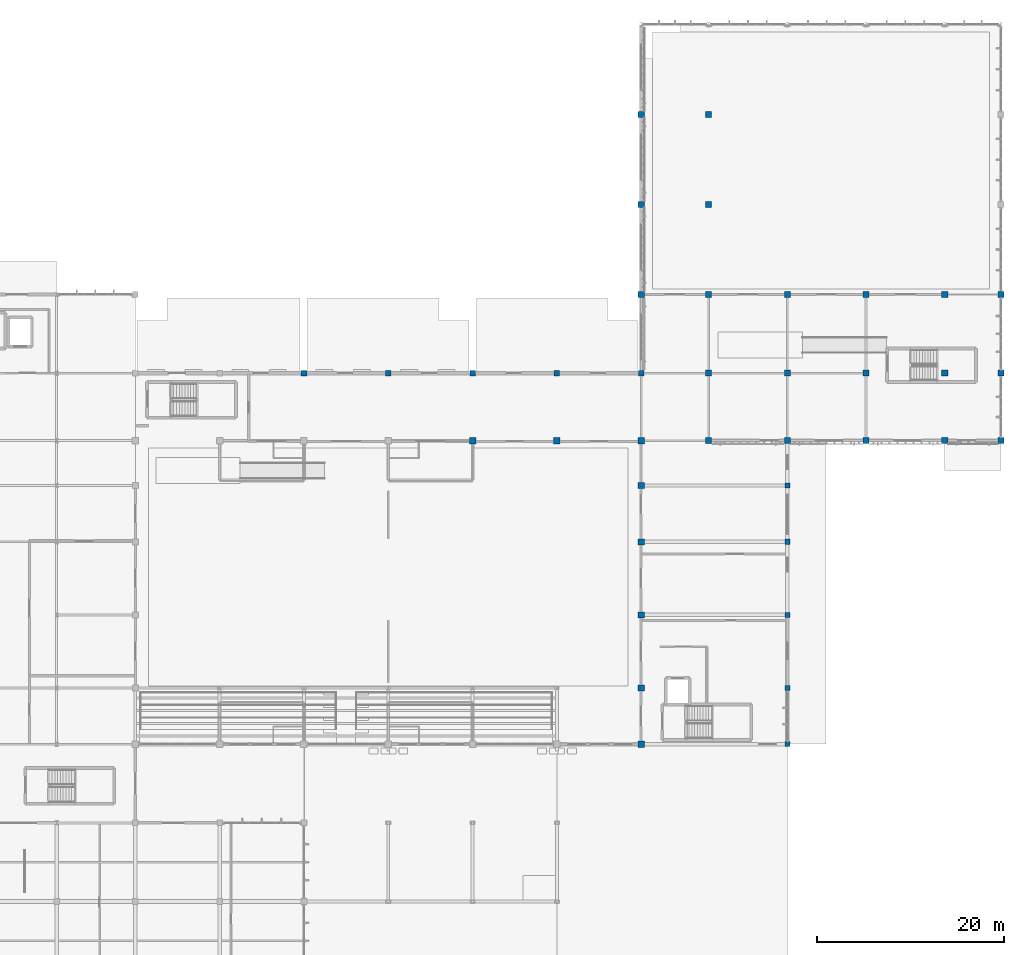
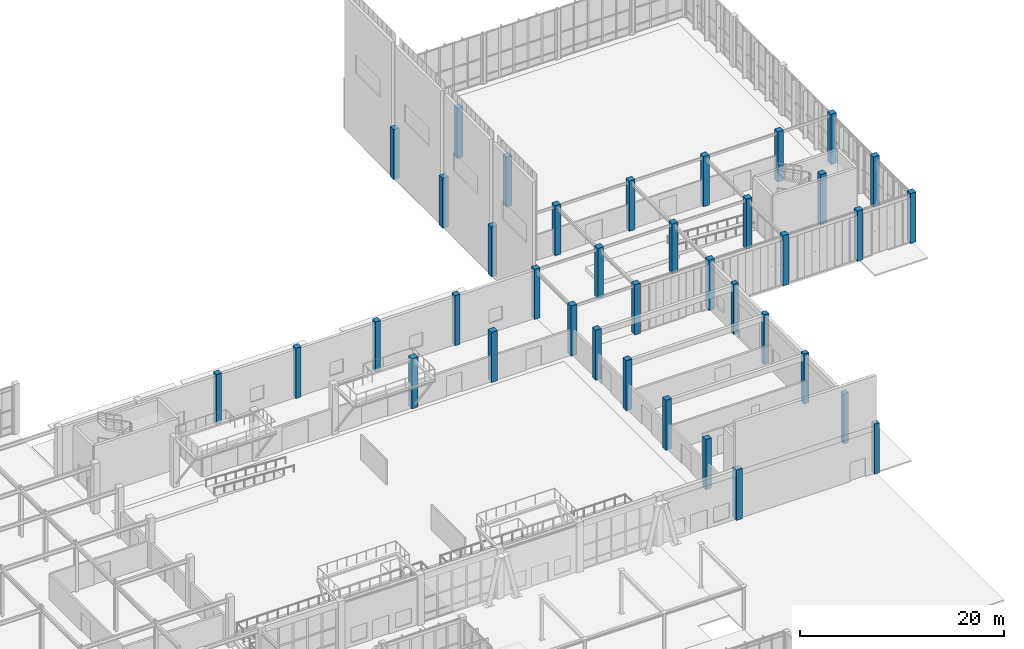
# One storey, part 12 of 110: 38 columns.
"""IFC4 building model written with IfcOpenShell, lengths in metres."""

from ifc_helpers import new_model, si_unit, direction, frame, origin, origin_2d, place, context, subcontext, project, spatial, rectangle, extrude, material, material_profile, profile_set, type_object, element, save


model = new_model("IFC4")

# Units and contexts
model_context = context("Model", 3, precision=1e-05, world=origin(), true_north=direction((0.0, 1.0)))
body_context = subcontext(model_context, "Body", "Model", "MODEL_VIEW")
ifc_project = project(units=[si_unit("LENGTHUNIT", "METRE"), si_unit("AREAUNIT", "SQUARE_METRE"), si_unit("VOLUMEUNIT", "CUBIC_METRE"), si_unit("PLANEANGLEUNIT", "RADIAN"), si_unit("MASSUNIT", "GRAM", prefix="KILO")], contexts=[model_context])

# Site, building, storey
site_placement = place(None, origin())
site = spatial("IfcSite", under=ifc_project, at=site_placement, CompositionType="ELEMENT")
building_placement = place(site_placement, origin())
building = spatial("IfcBuilding", under=site, at=building_placement, Name="Tizgana Railside Sports Hall", CompositionType="ELEMENT")
storey_placement = place(building_placement, origin())
storey = spatial("IfcBuildingStorey", under=building, at=storey_placement, Name="L00", CompositionType="ELEMENT", Elevation=0.0)

# Columns
ifc_material = material(Name="Concrete C40/50", Category="concrete")
ifc_material_profile_1 = material_profile(ifc_material, rectangle(XDim=0.550048828125, YDim=0.550048828125, at=origin_2d()), Name="RC 550x550")
ifc_profile_set_1 = profile_set([ifc_material_profile_1], Name="Concrete C40/50")
column_type_1 = type_object("IfcColumnType", Name="Concrete Column RC 550x550", PredefinedType="COLUMN", material=ifc_profile_set_1)
for number, where, z_axis, x_axis, name in (
    (1, (149.39990234375, 40.800048828125, 0.0), (0.0, 0.0, 1.0), (1.0, 0.0, 0.0), "L00 COL-0907"),
    (2, (149.39990234375, 46.800048828125, 0.0), (0.0, 0.0, 1.0), (1.0, 0.0, 0.0), "L00 COL-0910"),
    (3, (149.39990234375, 54.60009765625, 0.0), (0.0, 0.0, 1.0), (1.0, 0.0, 0.0), "L00 COL-0913"),
    (4, (149.39990234375, 62.39990234375, 0.0), (0.0, 0.0, 1.0), (1.0, 0.0, 0.0), "L00 COL-0916"),
    (5, (149.39990234375, 68.39990234375, 0.0), (0.0, 0.0, 1.0), (1.0, 0.0, 0.0), "L00 COL-0919"),
):
    element("IfcColumn", number, at=place(storey_placement, frame(where, z_axis=z_axis, x_axis=x_axis)), inside=storey, type_object=column_type_1, Name=name, PredefinedType="COLUMN", context=body_context, shape_type="SweptSolid", body=[
        extrude(rectangle(XDim=0.550048828125, YDim=0.550048828125, at=origin_2d()), origin(), (0.0, 0.0, 1.0), 6.0),
    ])
ifc_material_profile_2 = material_profile(ifc_material, rectangle(XDim=0.60009765625, YDim=0.60009765625, at=origin_2d()), Name="RC 600x600")
ifc_profile_set_2 = profile_set([ifc_material_profile_2], Name="Concrete C40/50")
column_type_2 = type_object("IfcColumnType", Name="Concrete Column RC 600x600", PredefinedType="COLUMN", material=ifc_profile_set_2)
for number, where, z_axis, x_axis, name in (
    (6, (97.800048828125, 80.39990234375, 0.0), (0.0, 0.0, 1.0), (1.0, 0.0, 0.0), "L00 COL-0317"),
    (7, (106.800048828125, 80.39990234375, 0.0), (0.0, 0.0, 1.0), (1.0, 0.0, 0.0), "L00 COL-0342"),
    (8, (115.800048828125, 80.39990234375, 0.0), (0.0, 0.0, 1.0), (1.0, 0.0, 0.0), "L00 COL-0363"),
    (9, (124.800048828125, 80.39990234375, 0.0), (0.0, 0.0, 1.0), (1.0, 0.0, 0.0), "L00 COL-0388"),
    (10, (133.800048828125, 80.39990234375, 0.0), (0.0, 0.0, 1.0), (1.0, 0.0, 0.0), "L00 COL-0417"),
):
    element("IfcColumn", number, at=place(storey_placement, frame(where, z_axis=z_axis, x_axis=x_axis)), inside=storey, type_object=column_type_2, Name=name, PredefinedType="COLUMN", context=body_context, shape_type="SweptSolid", body=[
        extrude(rectangle(XDim=0.60009765625, YDim=0.60009765625, at=origin_2d()), origin(), (0.0, 0.0, 1.0), 6.0),
    ])
ifc_material_profile_3 = material_profile(ifc_material, rectangle(XDim=0.64990234375, YDim=0.64990234375, at=origin_2d()), Name="RC 650x650")
ifc_profile_set_3 = profile_set([ifc_material_profile_3], Name="Concrete C40/50")
column_type_3 = type_object("IfcColumnType", Name="Concrete Column RC 650x650", PredefinedType="COLUMN", material=ifc_profile_set_3)
for number, where, z_axis, x_axis, name in (
    (11, (133.800048828125, 46.800048828125, 0.0), (0.0, 0.0, 1.0), (1.0, 0.0, 0.0), "L00 COL-0399"),
    (12, (133.800048828125, 54.60009765625, 0.0), (0.0, 0.0, 1.0), (1.0, 0.0, 0.0), "L00 COL-0402"),
    (13, (133.800048828125, 62.39990234375, 0.0), (0.0, 0.0, 1.0), (1.0, 0.0, 0.0), "L00 COL-0405"),
    (14, (133.800048828125, 68.39990234375, 0.0), (0.0, 0.0, 1.0), (1.0, 0.0, 0.0), "L00 COL-0408"),
    (15, (133.800048828125, 88.800048828125, 0.0), (0.0, 0.0, 1.0), (1.0, 0.0, 0.0), "L00 COL-0422"),
    (16, (133.800048828125, 98.39990234375, 0.0), (0.0, 0.0, 1.0), (1.0, 0.0, 0.0), "L00 COL-0426"),
    (17, (133.800048828125, 108.0, 0.0), (0.0, 0.0, 1.0), (1.0, 0.0, 0.0), "L00 COL-0430"),
    (18, (141.0, 73.199951171875, 0.0), (0.0, 0.0, 1.0), (1.0, 0.0, 0.0), "L00 COL-0438"),
    (19, (141.0, 80.39990234375, 0.0), (0.0, 0.0, 1.0), (1.0, 0.0, 0.0), "L00 COL-0442"),
    (20, (141.0, 88.800048828125, 0.0), (0.0, 0.0, 1.0), (1.0, 0.0, 0.0), "L00 COL-0446"),
    (21, (141.0, 98.39990234375, 0.0), (0.0, 0.0, 1.0), (1.0, 0.0, 0.0), "L00 COL-0450"),
    (22, (141.0, 108.0, 0.0), (0.0, 0.0, 1.0), (1.0, 0.0, 0.0), "L00 COL-0454"),
    (23, (149.39990234375, 73.199951171875, 0.0), (0.0, 0.0, 1.0), (1.0, 0.0, 0.0), "L00 COL-0462"),
    (24, (149.39990234375, 80.39990234375, 0.0), (0.0, 0.0, 1.0), (1.0, 0.0, 0.0), "L00 COL-0466"),
    (25, (149.39990234375, 88.800048828125, 0.0), (0.0, 0.0, 1.0), (1.0, 0.0, 0.0), "L00 COL-0470"),
    (26, (157.800048828125, 73.199951171875, 0.0), (0.0, 0.0, 1.0), (1.0, 0.0, 0.0), "L00 COL-0478"),
    (27, (157.800048828125, 80.39990234375, 0.0), (0.0, 0.0, 1.0), (1.0, 0.0, 0.0), "L00 COL-0482"),
    (28, (157.800048828125, 88.800048828125, 0.0), (0.0, 0.0, 1.0), (1.0, 0.0, 0.0), "L00 COL-0486"),
    (29, (166.199951171875, 73.199951171875, 0.0), (0.0, 0.0, 1.0), (1.0, 0.0, 0.0), "L00 COL-0494"),
    (30, (166.199951171875, 80.39990234375, 0.0), (0.0, 0.0, 1.0), (1.0, 0.0, 0.0), "L00 COL-0498"),
    (31, (166.199951171875, 88.800048828125, 0.0), (0.0, 0.0, 1.0), (1.0, 0.0, 0.0), "L00 COL-0502"),
    (32, (172.199951171875, 73.199951171875, 0.0), (0.0, 0.0, 1.0), (1.0, 0.0, 0.0), "L00 COL-0510"),
    (33, (172.199951171875, 80.39990234375, 0.0), (0.0, 0.0, 1.0), (1.0, 0.0, 0.0), "L00 COL-0514"),
    (34, (172.199951171875, 88.800048828125, 0.0), (0.0, 0.0, 1.0), (1.0, 0.0, 0.0), "L00 COL-0518"),
):
    element("IfcColumn", number, at=place(storey_placement, frame(where, z_axis=z_axis, x_axis=x_axis)), inside=storey, type_object=column_type_3, Name=name, PredefinedType="COLUMN", context=body_context, shape_type="SweptSolid", body=[
        extrude(rectangle(XDim=0.64990234375, YDim=0.64990234375, at=origin_2d()), origin(), (0.0, 0.0, 1.0), 6.0),
    ])
ifc_material_profile_4 = material_profile(ifc_material, rectangle(XDim=0.699951171875, YDim=0.699951171875, at=origin_2d()), Name="RC 700x700")
ifc_profile_set_4 = profile_set([ifc_material_profile_4], Name="Concrete C40/50")
column_type_4 = type_object("IfcColumnType", Name="Concrete Column RC 700x700", PredefinedType="COLUMN", material=ifc_profile_set_4)
for number, where, z_axis, x_axis, name in (
    (35, (115.800048828125, 73.199951171875, 0.0), (0.0, 0.0, 1.0), (1.0, 0.0, 0.0), "L00 COL-0357"),
    (36, (124.800048828125, 73.199951171875, 0.0), (0.0, 0.0, 1.0), (1.0, 0.0, 0.0), "L00 COL-0382"),
    (37, (133.800048828125, 40.800048828125, 0.0), (0.0, 0.0, 1.0), (1.0, 0.0, 0.0), "L00 COL-0393"),
    (38, (133.800048828125, 73.199951171875, 0.0), (0.0, 0.0, 1.0), (1.0, 0.0, 0.0), "L00 COL-0411"),
):
    element("IfcColumn", number, at=place(storey_placement, frame(where, z_axis=z_axis, x_axis=x_axis)), inside=storey, type_object=column_type_4, Name=name, PredefinedType="COLUMN", context=body_context, shape_type="SweptSolid", body=[
        extrude(rectangle(XDim=0.699951171875, YDim=0.699951171875, at=origin_2d()), origin(), (0.0, 0.0, 1.0), 6.0),
    ])

save(model, "model.ifc")
